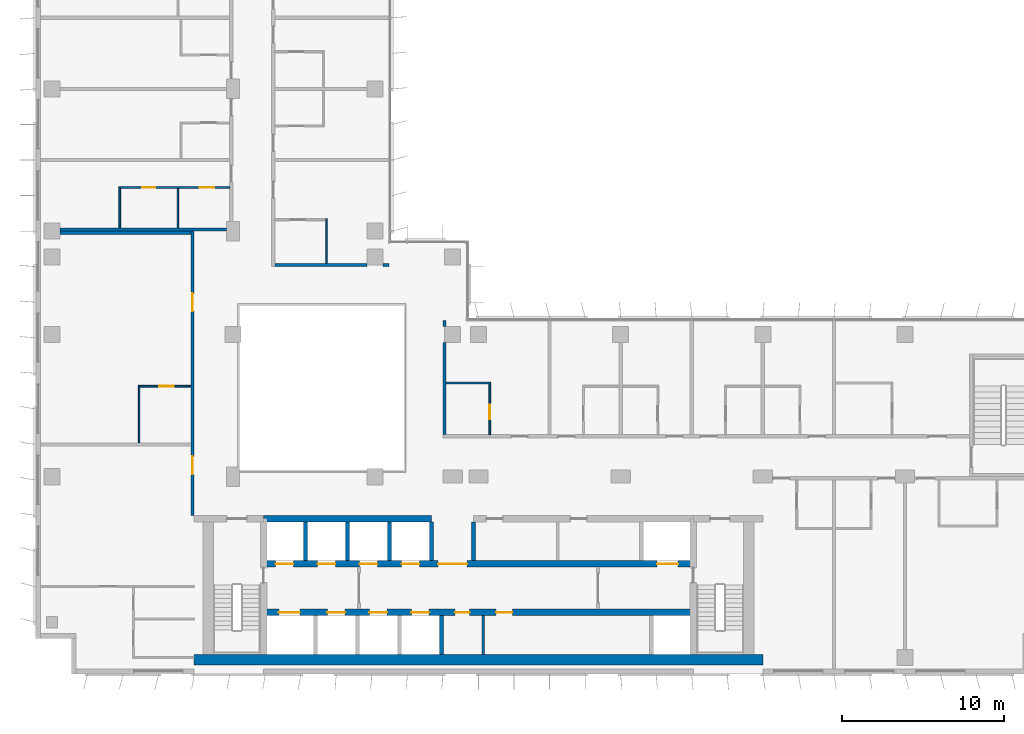
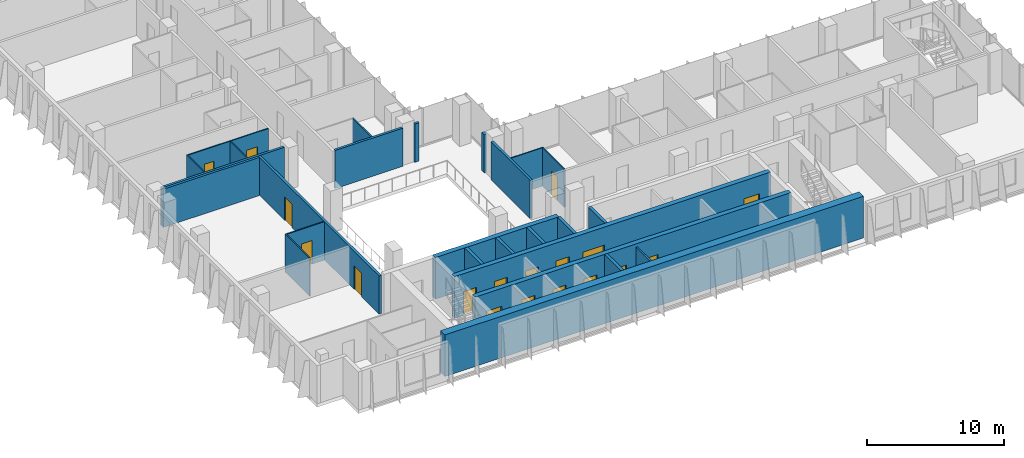
# One storey, part 13 of 21: 26 walls, 18 doors, 18 openings.
"""IFC4 building model written with IfcOpenShell, lengths in metres."""

from ifc_helpers import new_model, si_unit, direction, frame, frame_2d, origin, place, context, subcontext, project, spatial, rectangle, extrude, material, layer, layer_set, type_object, element, fill, save


model = new_model("IFC4")

# Units and contexts
model_context = context("Model", 3, precision=1e-05, world=origin(), true_north=direction((0.0, 1.0)))
body_context = subcontext(model_context, "Body", "Model", "MODEL_VIEW")
ifc_project = project(units=[si_unit("LENGTHUNIT", "METRE"), si_unit("AREAUNIT", "SQUARE_METRE"), si_unit("VOLUMEUNIT", "CUBIC_METRE"), si_unit("PLANEANGLEUNIT", "RADIAN"), si_unit("MASSUNIT", "GRAM", prefix="KILO")], contexts=[model_context])

# Site, building, storey
site_placement = place(None, origin())
site = spatial("IfcSite", under=ifc_project, at=site_placement, CompositionType="ELEMENT")
building_placement = place(site_placement, origin())
building = spatial("IfcBuilding", under=site, at=building_placement, Name="Kemantara Hotel Tower", CompositionType="ELEMENT")
storey_placement = place(building_placement, frame((0.0, 0.0, 156.800048828125)))
storey = spatial("IfcBuildingStorey", under=building, at=storey_placement, Name="L38", CompositionType="ELEMENT", Elevation=156.800048828125)

# Walls
ifc_material_1 = material(Name="Concrete fc 60 MPa", Category="concrete")
ifc_layer_1 = layer(ifc_material_1, 0.25)
ifc_layer_set_1 = layer_set([ifc_layer_1], Name="Concrete fc 60 MPa")
wall_type_1 = type_object("IfcWallType", Name="CORE WALL 250 FC60", PredefinedType="SHEAR", material=ifc_layer_set_1)
wall_1_placement = place(storey_placement, frame((25.10009765625, 1.199951171875, 0.0), z_axis=(0.0, 0.0, 1.0), x_axis=(0.0, 1.0, 0.0)))
element("IfcWall", 1, at=wall_1_placement, inside=storey, type_object=wall_type_1, Name="CORE WALL CW-DS25.1", PredefinedType="SHEAR", context=body_context, shape_type="SweptSolid", body=[
    extrude(rectangle(XDim=2.400146484375, YDim=0.25, at=frame_2d((1.2001953125, 0.0))), origin(), (0.0, 0.0, 1.0), 3.699951171875),
])
for number, where, z_axis, x_axis, name in (
    (2, (16.699951171875, 7.0, 0.0), (0.0, 0.0, 1.0), (0.0, 1.0, 0.0), "CORE WALL CW-DN16.7"),
    (3, (19.300048828125, 7.0, 0.0), (0.0, 0.0, 1.0), (0.0, 1.0, 0.0), "CORE WALL CW-DN19.3"),
    (4, (21.89990234375, 7.0, 0.0), (0.0, 0.0, 1.0), (0.0, 1.0, 0.0), "CORE WALL CW-DN21.9"),
    (5, (24.5, 7.0, 0.0), (0.0, 0.0, 1.0), (0.0, 1.0, 0.0), "CORE WALL CW-DN24.5"),
    (6, (27.10009765625, 7.0, 0.0), (0.0, 0.0, 1.0), (0.0, 1.0, 0.0), "CORE WALL CW-DN27.1"),
):
    element("IfcWall", number, at=place(storey_placement, frame(where, z_axis=z_axis, x_axis=x_axis)), inside=storey, type_object=wall_type_1, Name=name, PredefinedType="SHEAR", context=body_context, shape_type="SweptSolid", body=[
        extrude(rectangle(XDim=2.39990234375, YDim=0.25, at=frame_2d((1.199951171875, 0.0))), origin(), (0.0, 0.0, 1.0), 3.699951171875),
    ])
ifc_layer_2 = layer(ifc_material_1, 0.39990234375)
ifc_layer_set_2 = layer_set([ifc_layer_2], Name="Concrete fc 60 MPa")
wall_type_2 = type_object("IfcWallType", Name="CORE WALL 400 FC60", PredefinedType="SHEAR", material=ifc_layer_set_2)
wall_2_placement = place(storey_placement, frame((14.10009765625, 9.60009765625, 0.0), z_axis=(0.0, 0.0, 1.0), x_axis=(1.0, 0.0, 0.0)))
element("IfcWall", 7, at=wall_2_placement, inside=storey, type_object=wall_type_2, Name="CORE WALL CW-NN1", PredefinedType="SHEAR", context=body_context, shape_type="SweptSolid", body=[
    extrude(rectangle(XDim=10.39990234375, YDim=0.39990234375, at=frame_2d((5.199951171875, 0.0))), origin(), (0.0, 0.0, 1.0), 3.699951171875),
])

# Wall, openings, doors
wall_3_placement = place(storey_placement, frame((14.10009765625, 3.800048828125, 0.0), z_axis=(0.0, 0.0, 1.0), x_axis=(1.0, 0.0, 0.0)))
wall_3 = element("IfcWall", 8, at=wall_3_placement, inside=storey, type_object=wall_type_2, Name="CORE WALL CW-L1", PredefinedType="SHEAR", context=body_context, shape_type="SweptSolid", body=[
    extrude(rectangle(XDim=26.599853515625, YDim=0.39990234375, at=frame_2d((13.2998046875, 0.0))), origin(), (0.0, 0.0, 1.0), 3.699951171875),
])
opening_1_placement = place(wall_3_placement, frame((0.949951171875, 0.0, 0.0)))
opening_1 = element("IfcOpeningElement", 9, at=opening_1_placement, cuts=wall_3, Name="Opening C25-LD-FF1", PredefinedType="OPENING", context=body_context, shape_type="SweptSolid", body=[
    extrude(rectangle(XDim=1.300048828125, YDim=2.10009765625, at=frame_2d((0.64990234375, 1.050048828125))), frame((0.0, 0.2099609375, 0.0), z_axis=(0.0, -1.0, 0.0), x_axis=(1.0, 0.0, 0.0)), (0.0, 0.0, 1.0), 0.419921875),
])
opening_2_placement = place(wall_3_placement, frame((3.949951171875, 0.0, 0.0)))
opening_2 = element("IfcOpeningElement", 10, at=opening_2_placement, cuts=wall_3, Name="Opening C25-LD-SV1", PredefinedType="OPENING", context=body_context, shape_type="SweptSolid", body=[
    extrude(rectangle(XDim=1.10009765625, YDim=2.10009765625, at=frame_2d((0.550048828125, 1.050048828125))), frame((0.0, 0.2099609375, 0.0), z_axis=(0.0, -1.0, 0.0), x_axis=(1.0, 0.0, 0.0)), (0.0, 0.0, 1.0), 0.419921875),
])
opening_3_placement = place(wall_3_placement, frame((6.550048828125, 0.0, 0.0)))
opening_3 = element("IfcOpeningElement", 11, at=opening_3_placement, cuts=wall_3, Name="Opening C25-LD-SV2", PredefinedType="OPENING", context=body_context, shape_type="SweptSolid", body=[
    extrude(rectangle(XDim=1.10009765625, YDim=2.10009765625, at=frame_2d((0.550048828125, 1.050048828125))), frame((0.0, 0.2099609375, 0.0), z_axis=(0.0, -1.0, 0.0), x_axis=(1.0, 0.0, 0.0)), (0.0, 0.0, 1.0), 0.419921875),
])
opening_4_placement = place(wall_3_placement, frame((9.14990234375, 0.0, 0.0)))
opening_4 = element("IfcOpeningElement", 12, at=opening_4_placement, cuts=wall_3, Name="Opening C25-LD-SV3", PredefinedType="OPENING", context=body_context, shape_type="SweptSolid", body=[
    extrude(rectangle(XDim=1.10009765625, YDim=2.10009765625, at=frame_2d((0.550048828125, 1.050048828125))), frame((0.0, 0.2099609375, 0.0), z_axis=(0.0, -1.0, 0.0), x_axis=(1.0, 0.0, 0.0)), (0.0, 0.0, 1.0), 0.419921875),
])
opening_5_placement = place(wall_3_placement, frame((11.85009765625, 0.0, 0.0)))
opening_5 = element("IfcOpeningElement", 13, at=opening_5_placement, cuts=wall_3, Name="Opening C25-R-SM1", PredefinedType="OPENING", context=body_context, shape_type="SweptSolid", body=[
    extrude(rectangle(XDim=0.89990234375, YDim=2.10009765625, at=frame_2d((0.449951171875, 1.050048828125))), frame((0.0, 0.2099609375, 0.0), z_axis=(0.0, -1.0, 0.0), x_axis=(1.0, 0.0, 0.0)), (0.0, 0.0, 1.0), 0.419921875),
])
opening_6_placement = place(wall_3_placement, frame((14.39990234375, 0.0, 0.0)))
opening_6 = element("IfcOpeningElement", 14, at=opening_6_placement, cuts=wall_3, Name="Opening C25-R-SM2", PredefinedType="OPENING", context=body_context, shape_type="SweptSolid", body=[
    extrude(rectangle(XDim=1.0, YDim=2.10009765625, at=frame_2d((0.5, 1.050048828125))), frame((0.0, 0.2099609375, 0.0), z_axis=(0.0, -1.0, 0.0), x_axis=(1.0, 0.0, 0.0)), (0.0, 0.0, 1.0), 0.419921875),
])
ifc_material_2 = material(Name="Steel fire door", Category="steel")
door_type_1 = type_object("IfcDoorType", Name="Fire door FD30S 1000 x 2100", OperationType="NOTDEFINED", PredefinedType="DOOR", material=ifc_material_2)
door_1_placement = place(opening_6_placement, frame((1.0, 0.0, 0.0), z_axis=(0.0, 0.0, 1.0), x_axis=(-1.0, 0.0, 0.0)))
door_1 = element("IfcDoor", 15, at=door_1_placement, inside=storey, type_object=door_type_1, Name="Guest Pantry door", OperationType="SINGLE_SWING_LEFT", OverallHeight=2.10009765625, OverallWidth=1.0, PredefinedType="DOOR", context=body_context, shape_type="SweptSolid", body=[
    extrude(rectangle(XDim=1.0, YDim=2.10009765625, at=frame_2d((0.5, 1.050048828125))), frame((0.0, 0.02490234375, 0.0), z_axis=(0.0, -1.0, 0.0), x_axis=(1.0, 0.0, 0.0)), (0.0, 0.0, 1.0), 0.050048828125),
])
fill(opening_6, door_1)
door_type_2 = type_object("IfcDoorType", Name="Fire door FD60 900 x 2100", OperationType="NOTDEFINED", PredefinedType="DOOR", material=ifc_material_2)
door_2_placement = place(opening_5_placement, frame((0.89990234375, 0.0, 0.0), z_axis=(0.0, 0.0, 1.0), x_axis=(-1.0, 0.0, 0.0)))
door_2 = element("IfcDoor", 16, at=door_2_placement, inside=storey, type_object=door_type_2, Name="Electrical Riser Room door", OperationType="SINGLE_SWING_RIGHT", OverallHeight=2.10009765625, OverallWidth=0.89990234375, PredefinedType="DOOR", context=body_context, shape_type="SweptSolid", body=[
    extrude(rectangle(XDim=0.89990234375, YDim=2.10009765625, at=frame_2d((0.449951171875, 1.050048828125))), frame((0.0, 0.02490234375, 0.0), z_axis=(0.0, -1.0, 0.0), x_axis=(1.0, 0.0, 0.0)), (0.0, 0.0, 1.0), 0.050048828125),
])
fill(opening_5, door_2)
ifc_material_3 = material(Name="Stainless steel lift door", Category="steel")
door_type_3 = type_object("IfcDoorType", Name="Lift landing door 1100 x 2100 FD60", OperationType="DOUBLE_DOOR_SLIDING", PredefinedType="DOOR", material=ifc_material_3)
door_3_placement = place(opening_2_placement, origin())
door_3 = element("IfcDoor", 17, at=door_3_placement, inside=storey, type_object=door_type_3, Name="Lift SV1 landing door", OperationType="DOUBLE_DOOR_SLIDING", OverallHeight=2.10009765625, OverallWidth=1.10009765625, PredefinedType="DOOR", context=body_context, shape_type="SweptSolid", body=[
    extrude(rectangle(XDim=1.10009765625, YDim=2.10009765625, at=frame_2d((0.550048828125, 1.050048828125))), frame((0.0, 0.02490234375, 0.0), z_axis=(0.0, -1.0, 0.0), x_axis=(1.0, 0.0, 0.0)), (0.0, 0.0, 1.0), 0.050048828125),
])
fill(opening_2, door_3)
door_4_placement = place(opening_3_placement, origin())
door_4 = element("IfcDoor", 18, at=door_4_placement, inside=storey, type_object=door_type_3, Name="Lift SV2 landing door", OperationType="DOUBLE_DOOR_SLIDING", OverallHeight=2.10009765625, OverallWidth=1.10009765625, PredefinedType="DOOR", context=body_context, shape_type="SweptSolid", body=[
    extrude(rectangle(XDim=1.10009765625, YDim=2.10009765625, at=frame_2d((0.550048828125, 1.050048828125))), frame((0.0, 0.02490234375, 0.0), z_axis=(0.0, -1.0, 0.0), x_axis=(1.0, 0.0, 0.0)), (0.0, 0.0, 1.0), 0.050048828125),
])
fill(opening_3, door_4)
door_5_placement = place(opening_4_placement, origin())
door_5 = element("IfcDoor", 19, at=door_5_placement, inside=storey, type_object=door_type_3, Name="Lift SV3 landing door", OperationType="DOUBLE_DOOR_SLIDING", OverallHeight=2.10009765625, OverallWidth=1.10009765625, PredefinedType="DOOR", context=body_context, shape_type="SweptSolid", body=[
    extrude(rectangle(XDim=1.10009765625, YDim=2.10009765625, at=frame_2d((0.550048828125, 1.050048828125))), frame((0.0, 0.02490234375, 0.0), z_axis=(0.0, -1.0, 0.0), x_axis=(1.0, 0.0, 0.0)), (0.0, 0.0, 1.0), 0.050048828125),
])
fill(opening_4, door_5)
door_type_4 = type_object("IfcDoorType", Name="Lift landing door 1300 x 2100 FD90", OperationType="DOUBLE_DOOR_SLIDING", PredefinedType="DOOR", material=ifc_material_3)
door_6_placement = place(opening_1_placement, origin())
door_6 = element("IfcDoor", 20, at=door_6_placement, inside=storey, type_object=door_type_4, Name="Lift FF1 landing door", OperationType="DOUBLE_DOOR_SLIDING", OverallHeight=2.10009765625, OverallWidth=1.300048828125, PredefinedType="DOOR", context=body_context, shape_type="SweptSolid", body=[
    extrude(rectangle(XDim=1.300048828125, YDim=2.10009765625, at=frame_2d((0.64990234375, 1.050048828125))), frame((0.0, 0.02490234375, 0.0), z_axis=(0.0, -1.0, 0.0), x_axis=(1.0, 0.0, 0.0)), (0.0, 0.0, 1.0), 0.050048828125),
])
fill(opening_1, door_6)

wall_4_placement = place(storey_placement, frame((14.10009765625, 6.800048828125, 0.0), z_axis=(0.0, 0.0, 1.0), x_axis=(1.0, 0.0, 0.0)))
wall_4 = element("IfcWall", 21, at=wall_4_placement, inside=storey, type_object=wall_type_2, Name="CORE WALL CW-L2", PredefinedType="SHEAR", context=body_context, shape_type="SweptSolid", body=[
    extrude(rectangle(XDim=26.599853515625, YDim=0.39990234375, at=frame_2d((13.2998046875, 0.0))), origin(), (0.0, 0.0, 1.0), 3.699951171875),
])
opening_7_placement = place(wall_4_placement, frame((10.800048828125, 0.0, 0.0)))
opening_7 = element("IfcOpeningElement", 22, at=opening_7_placement, cuts=wall_4, Name="Opening C25-VL", PredefinedType="OPENING", context=body_context, shape_type="SweptSolid", body=[
    extrude(rectangle(XDim=1.800048828125, YDim=2.10009765625, at=frame_2d((0.89990234375, 1.050048828125))), frame((0.0, 0.2099609375, 0.0), z_axis=(0.0, -1.0, 0.0), x_axis=(1.0, 0.0, 0.0)), (0.0, 0.0, 1.0), 0.419921875),
])
opening_8_placement = place(wall_4_placement, frame((0.75, 0.0, 0.0)))
opening_8 = element("IfcOpeningElement", 23, at=opening_8_placement, cuts=wall_4, Name="Opening C25-LD-MR1", PredefinedType="OPENING", context=body_context, shape_type="SweptSolid", body=[
    extrude(rectangle(XDim=1.10009765625, YDim=2.10009765625, at=frame_2d((0.550048828125, 1.050048828125))), frame((0.0, 0.2099609375, 0.0), z_axis=(0.0, -1.0, 0.0), x_axis=(1.0, 0.0, 0.0)), (0.0, 0.0, 1.0), 0.419921875),
])
opening_9_placement = place(wall_4_placement, frame((3.35009765625, 0.0, 0.0)))
opening_9 = element("IfcOpeningElement", 24, at=opening_9_placement, cuts=wall_4, Name="Opening C25-LD-MR2", PredefinedType="OPENING", context=body_context, shape_type="SweptSolid", body=[
    extrude(rectangle(XDim=1.10009765625, YDim=2.10009765625, at=frame_2d((0.550048828125, 1.050048828125))), frame((0.0, 0.2099609375, 0.0), z_axis=(0.0, -1.0, 0.0), x_axis=(1.0, 0.0, 0.0)), (0.0, 0.0, 1.0), 0.419921875),
])
opening_10_placement = place(wall_4_placement, frame((5.949951171875, 0.0, 0.0)))
opening_10 = element("IfcOpeningElement", 25, at=opening_10_placement, cuts=wall_4, Name="Opening C25-LD-MR3", PredefinedType="OPENING", context=body_context, shape_type="SweptSolid", body=[
    extrude(rectangle(XDim=1.10009765625, YDim=2.10009765625, at=frame_2d((0.550048828125, 1.050048828125))), frame((0.0, 0.2099609375, 0.0), z_axis=(0.0, -1.0, 0.0), x_axis=(1.0, 0.0, 0.0)), (0.0, 0.0, 1.0), 0.419921875),
])
opening_11_placement = place(wall_4_placement, frame((8.550048828125, 0.0, 0.0)))
opening_11 = element("IfcOpeningElement", 26, at=opening_11_placement, cuts=wall_4, Name="Opening C25-LD-MR4", PredefinedType="OPENING", context=body_context, shape_type="SweptSolid", body=[
    extrude(rectangle(XDim=1.10009765625, YDim=2.10009765625, at=frame_2d((0.550048828125, 1.050048828125))), frame((0.0, 0.2099609375, 0.0), z_axis=(0.0, -1.0, 0.0), x_axis=(1.0, 0.0, 0.0)), (0.0, 0.0, 1.0), 0.419921875),
])
opening_12_placement = place(wall_4_placement, frame((24.35009765625, 0.0, 0.0)))
opening_12 = element("IfcOpeningElement", 27, at=opening_12_placement, cuts=wall_4, Name="Opening C25-LD-FF2", PredefinedType="OPENING", context=body_context, shape_type="SweptSolid", body=[
    extrude(rectangle(XDim=1.300048828125, YDim=2.10009765625, at=frame_2d((0.64990234375, 1.050048828125))), frame((0.0, 0.2099609375, 0.0), z_axis=(0.0, -1.0, 0.0), x_axis=(1.0, 0.0, 0.0)), (0.0, 0.0, 1.0), 0.419921875),
])
door_type_5 = type_object("IfcDoorType", Name="Fire door pair FD60 1800 x 2100", OperationType="DOUBLE_DOOR_SINGLE_SWING", PredefinedType="DOOR", material=ifc_material_2)
door_7_placement = place(opening_7_placement, frame((1.800048828125, 0.0, 0.0), z_axis=(0.0, 0.0, 1.0), x_axis=(-1.0, 0.0, 0.0)))
door_7 = element("IfcDoor", 28, at=door_7_placement, inside=storey, type_object=door_type_5, Name="Lift lobby entry door", OperationType="DOUBLE_DOOR_SINGLE_SWING", OverallHeight=2.10009765625, OverallWidth=1.800048828125, PredefinedType="DOOR", context=body_context, shape_type="SweptSolid", body=[
    extrude(rectangle(XDim=1.800048828125, YDim=2.10009765625, at=frame_2d((0.89990234375, 1.050048828125))), frame((0.0, 0.02490234375, 0.0), z_axis=(0.0, -1.0, 0.0), x_axis=(1.0, 0.0, 0.0)), (0.0, 0.0, 1.0), 0.050048828125),
])
fill(opening_7, door_7)
door_8_placement = place(opening_8_placement, origin())
door_8 = element("IfcDoor", 29, at=door_8_placement, inside=storey, type_object=door_type_3, Name="Lift MR1 landing door", OperationType="DOUBLE_DOOR_SLIDING", OverallHeight=2.10009765625, OverallWidth=1.10009765625, PredefinedType="DOOR", context=body_context, shape_type="SweptSolid", body=[
    extrude(rectangle(XDim=1.10009765625, YDim=2.10009765625, at=frame_2d((0.550048828125, 1.050048828125))), frame((0.0, 0.02490234375, 0.0), z_axis=(0.0, -1.0, 0.0), x_axis=(1.0, 0.0, 0.0)), (0.0, 0.0, 1.0), 0.050048828125),
])
fill(opening_8, door_8)
door_9_placement = place(opening_9_placement, origin())
door_9 = element("IfcDoor", 30, at=door_9_placement, inside=storey, type_object=door_type_3, Name="Lift MR2 landing door", OperationType="DOUBLE_DOOR_SLIDING", OverallHeight=2.10009765625, OverallWidth=1.10009765625, PredefinedType="DOOR", context=body_context, shape_type="SweptSolid", body=[
    extrude(rectangle(XDim=1.10009765625, YDim=2.10009765625, at=frame_2d((0.550048828125, 1.050048828125))), frame((0.0, 0.02490234375, 0.0), z_axis=(0.0, -1.0, 0.0), x_axis=(1.0, 0.0, 0.0)), (0.0, 0.0, 1.0), 0.050048828125),
])
fill(opening_9, door_9)
door_10_placement = place(opening_10_placement, origin())
door_10 = element("IfcDoor", 31, at=door_10_placement, inside=storey, type_object=door_type_3, Name="Lift MR3 landing door", OperationType="DOUBLE_DOOR_SLIDING", OverallHeight=2.10009765625, OverallWidth=1.10009765625, PredefinedType="DOOR", context=body_context, shape_type="SweptSolid", body=[
    extrude(rectangle(XDim=1.10009765625, YDim=2.10009765625, at=frame_2d((0.550048828125, 1.050048828125))), frame((0.0, 0.02490234375, 0.0), z_axis=(0.0, -1.0, 0.0), x_axis=(1.0, 0.0, 0.0)), (0.0, 0.0, 1.0), 0.050048828125),
])
fill(opening_10, door_10)
door_11_placement = place(opening_11_placement, origin())
door_11 = element("IfcDoor", 32, at=door_11_placement, inside=storey, type_object=door_type_3, Name="Lift MR4 landing door", OperationType="DOUBLE_DOOR_SLIDING", OverallHeight=2.10009765625, OverallWidth=1.10009765625, PredefinedType="DOOR", context=body_context, shape_type="SweptSolid", body=[
    extrude(rectangle(XDim=1.10009765625, YDim=2.10009765625, at=frame_2d((0.550048828125, 1.050048828125))), frame((0.0, 0.02490234375, 0.0), z_axis=(0.0, -1.0, 0.0), x_axis=(1.0, 0.0, 0.0)), (0.0, 0.0, 1.0), 0.050048828125),
])
fill(opening_11, door_11)
door_12_placement = place(opening_12_placement, origin())
door_12 = element("IfcDoor", 33, at=door_12_placement, inside=storey, type_object=door_type_4, Name="Lift FF2 landing door", OperationType="DOUBLE_DOOR_SLIDING", OverallHeight=2.10009765625, OverallWidth=1.300048828125, PredefinedType="DOOR", context=body_context, shape_type="SweptSolid", body=[
    extrude(rectangle(XDim=1.300048828125, YDim=2.10009765625, at=frame_2d((0.64990234375, 1.050048828125))), frame((0.0, 0.02490234375, 0.0), z_axis=(0.0, -1.0, 0.0), x_axis=(1.0, 0.0, 0.0)), (0.0, 0.0, 1.0), 0.050048828125),
])
fill(opening_12, door_12)

# Wall
ifc_layer_3 = layer(ifc_material_1, 0.64990234375)
ifc_layer_set_3 = layer_set([ifc_layer_3], Name="Concrete fc 60 MPa")
wall_type_3 = type_object("IfcWallType", Name="CORE WALL 650 FC60", PredefinedType="SHEAR", material=ifc_layer_set_3)
wall_5_placement = place(storey_placement, frame((9.800048828125, 0.875, 0.0), z_axis=(0.0, 0.0, 1.0), x_axis=(1.0, 0.0, 0.0)))
element("IfcWall", 34, at=wall_5_placement, inside=storey, type_object=wall_type_3, Name="CORE WALL CW-S", PredefinedType="SHEAR", context=body_context, shape_type="SweptSolid", body=[
    extrude(rectangle(XDim=35.199951171875, YDim=0.64990234375, at=frame_2d((17.60009765625, 0.0))), origin(), (0.0, 0.0, 1.0), 3.699951171875),
])

# Wall, openings, doors
ifc_material_4 = material(Name="Gypsum board partition, steel studs and mineral wool, 200 mm", Category="steel")
ifc_layer_4 = layer(ifc_material_4, 0.199951171875)
ifc_layer_set_4 = layer_set([ifc_layer_4], Name="Gypsum board partition, steel studs and mineral wool, 200 mm")
wall_type_4 = type_object("IfcWallType", Name="CORRIDOR WALL 200", PredefinedType="PARTITIONING", material=ifc_layer_set_4)
wall_6_placement = place(storey_placement, frame((9.699951171875, 9.800048828125, 0.0), z_axis=(0.0, 0.0, 1.0), x_axis=(0.0, 1.0, 0.0)))
wall_6 = element("IfcWall", 35, at=wall_6_placement, inside=storey, type_object=wall_type_4, Name="CORRIDOR WALL 200 014", PredefinedType="PARTITIONING", context=body_context, shape_type="SweptSolid", body=[
    extrude(rectangle(XDim=17.599853515625, YDim=0.199951171875, at=frame_2d((8.7998046875, 0.0))), origin(), (0.0, 0.0, 1.0), 3.39990234375),
])
opening_13_placement = place(wall_6_placement, frame((2.550048828125, 0.0, 0.0)))
opening_13 = element("IfcOpeningElement", 36, at=opening_13_placement, cuts=wall_6, Name="Opening F17-019", PredefinedType="OPENING", context=body_context, shape_type="SweptSolid", body=[
    extrude(rectangle(XDim=1.10009765625, YDim=2.10009765625, at=frame_2d((0.550048828125, 1.050048828125))), frame((0.0, 0.10986328125, 0.0), z_axis=(0.0, -1.0, 0.0), x_axis=(1.0, 0.0, 0.0)), (0.0, 0.0, 1.0), 0.219970703125),
])
opening_14_placement = place(wall_6_placement, frame((12.64990234375, 0.0, 0.0)))
opening_14 = element("IfcOpeningElement", 37, at=opening_14_placement, cuts=wall_6, Name="Opening F17-023", PredefinedType="OPENING", context=body_context, shape_type="SweptSolid", body=[
    extrude(rectangle(XDim=1.10009765625, YDim=2.10009765625, at=frame_2d((0.550048828125, 1.050048828125))), frame((0.0, 0.10986328125, 0.0), z_axis=(0.0, -1.0, 0.0), x_axis=(1.0, 0.0, 0.0)), (0.0, 0.0, 1.0), 0.219970703125),
])
ifc_material_5 = material(Name="Hardwood veneer door leaf with steel frame", Category="steel")
door_type_6 = type_object("IfcDoorType", Name="SUITE ENTRANCE DOOR 1100 X 2100 FD30S", OperationType="NOTDEFINED", PredefinedType="DOOR", material=ifc_material_5)
door_13_placement = place(opening_13_placement, origin())
door_13 = element("IfcDoor", 38, at=door_13_placement, inside=storey, type_object=door_type_6, Name="SUITE ENTRANCE DOOR F17-019", OperationType="SINGLE_SWING_RIGHT", OverallHeight=2.10009765625, OverallWidth=1.10009765625, PredefinedType="DOOR", context=body_context, shape_type="SweptSolid", body=[
    extrude(rectangle(XDim=1.10009765625, YDim=2.10009765625, at=frame_2d((0.550048828125, 1.050048828125))), frame((0.0, 0.02490234375, 0.0), z_axis=(0.0, -1.0, 0.0), x_axis=(1.0, 0.0, 0.0)), (0.0, 0.0, 1.0), 0.050048828125),
])
fill(opening_13, door_13)
door_14_placement = place(opening_14_placement, origin())
door_14 = element("IfcDoor", 39, at=door_14_placement, inside=storey, type_object=door_type_6, Name="SUITE ENTRANCE DOOR F17-023", OperationType="SINGLE_SWING_RIGHT", OverallHeight=2.10009765625, OverallWidth=1.10009765625, PredefinedType="DOOR", context=body_context, shape_type="SweptSolid", body=[
    extrude(rectangle(XDim=1.10009765625, YDim=2.10009765625, at=frame_2d((0.550048828125, 1.050048828125))), frame((0.0, 0.02490234375, 0.0), z_axis=(0.0, -1.0, 0.0), x_axis=(1.0, 0.0, 0.0)), (0.0, 0.0, 1.0), 0.050048828125),
])
fill(opening_14, door_14)

# Walls
ifc_layer_5 = layer(ifc_material_4, 0.199951171875)
ifc_layer_set_5 = layer_set([ifc_layer_5], Name="Gypsum board partition, steel studs and mineral wool, 200 mm")
wall_type_5 = type_object("IfcWallType", Name="GUEST ROOM PARTY WALL 200", PredefinedType="PARTITIONING", material=ifc_layer_set_5)
wall_7_placement = place(storey_placement, frame((25.300048828125, 14.800048828125, 0.0), z_axis=(0.0, 0.0, 1.0), x_axis=(0.0, 1.0, 0.0)))
element("IfcWall", 40, at=wall_7_placement, inside=storey, type_object=wall_type_5, Name="GUEST ROOM PARTY WALL 200 008", PredefinedType="PARTITIONING", context=body_context, shape_type="SweptSolid", body=[
    extrude(rectangle(XDim=5.699951171875, YDim=0.199951171875, at=frame_2d((2.85009765625, 0.0))), origin(), (0.0, 0.0, 1.0), 3.39990234375),
])
wall_8_placement = place(storey_placement, frame((25.300048828125, 21.5, 0.0), z_axis=(0.0, 0.0, 1.0), x_axis=(0.0, 1.0, 0.0)))
element("IfcWall", 41, at=wall_8_placement, inside=storey, type_object=wall_type_5, Name="GUEST ROOM PARTY WALL 200 009", PredefinedType="PARTITIONING", context=body_context, shape_type="SweptSolid", body=[
    extrude(rectangle(XDim=0.3701171875, YDim=0.199951171875, at=frame_2d((0.18505859375, 0.0))), origin(), (0.0, 0.0, 1.0), 3.39990234375),
])
wall_9_placement = place(storey_placement, frame((1.5, 27.300048828125, 0.0), z_axis=(0.0, 0.0, 1.0), x_axis=(1.0, 0.0, 0.0)))
element("IfcWall", 42, at=wall_9_placement, inside=storey, type_object=wall_type_5, Name="GUEST ROOM PARTY WALL 200 016", PredefinedType="PARTITIONING", context=body_context, shape_type="SweptSolid", body=[
    extrude(rectangle(XDim=8.10009765625, YDim=0.199951171875, at=frame_2d((4.050048828125, 0.0))), origin(), (0.0, 0.0, 1.0), 3.39990234375),
])
wall_10_placement = place(storey_placement, frame((1.5, 27.5, 0.0), z_axis=(0.0, 0.0, 1.0), x_axis=(1.0, 0.0, 0.0)))
element("IfcWall", 43, at=wall_10_placement, inside=storey, type_object=wall_type_5, Name="GUEST ROOM PARTY WALL 200 021", PredefinedType="PARTITIONING", context=body_context, shape_type="SweptSolid", body=[
    extrude(rectangle(XDim=10.2998046875, YDim=0.199951171875, at=frame_2d((5.14990234375, 0.0))), origin(), (0.0, 0.0, 1.0), 3.39990234375),
])
wall_11_placement = place(storey_placement, frame((14.800048828125, 25.300048828125, 0.0), z_axis=(0.0, 0.0, 1.0), x_axis=(1.0, 0.0, 0.0)))
element("IfcWall", 44, at=wall_11_placement, inside=storey, type_object=wall_type_5, Name="GUEST ROOM PARTY WALL 200 033", PredefinedType="PARTITIONING", context=body_context, shape_type="SweptSolid", body=[
    extrude(rectangle(XDim=5.699951171875, YDim=0.199951171875, at=frame_2d((2.85009765625, 0.0))), origin(), (0.0, 0.0, 1.0), 3.39990234375),
])
wall_12_placement = place(storey_placement, frame((21.5, 25.300048828125, 0.0), z_axis=(0.0, 0.0, 1.0), x_axis=(1.0, 0.0, 0.0)))
element("IfcWall", 45, at=wall_12_placement, inside=storey, type_object=wall_type_5, Name="GUEST ROOM PARTY WALL 200 034", PredefinedType="PARTITIONING", context=body_context, shape_type="SweptSolid", body=[
    extrude(rectangle(XDim=0.3701171875, YDim=0.199951171875, at=frame_2d((0.18505859375, 0.0))), origin(), (0.0, 0.0, 1.0), 3.39990234375),
])
ifc_material_6 = material(Name="Gypsum board partition")
ifc_layer_6 = layer(ifc_material_6, 0.14990234375)
ifc_layer_set_6 = layer_set([ifc_layer_6], Name="Gypsum board partition")
wall_type_6 = type_object("IfcWallType", Name="Gypsum board partition 150 mm", PredefinedType="PARTITIONING", material=ifc_layer_set_6)
wall_13_placement = place(storey_placement, frame((27.699951171875, 1.199951171875, 0.0), z_axis=(0.0, 0.0, 1.0), x_axis=(0.0, 1.0, 0.0)))
element("IfcWall", 46, at=wall_13_placement, inside=storey, type_object=wall_type_6, Name="Core room partition", PredefinedType="PARTITIONING", context=body_context, shape_type="SweptSolid", body=[
    extrude(rectangle(XDim=2.400146484375, YDim=0.14990234375, at=frame_2d((1.2001953125, 0.0))), origin(), (0.0, 0.0, 1.0), 3.39990234375),
])
ifc_material_7 = material(Name="Gypsum board partition on steel studs, 100 mm", Category="steel")
ifc_layer_7 = layer(ifc_material_7, 0.10009765625)
ifc_layer_set_7 = layer_set([ifc_layer_7], Name="Gypsum board partition on steel studs, 100 mm")
wall_type_7 = type_object("IfcWallType", Name="ROOM PARTITION 100", PredefinedType="PARTITIONING", material=ifc_layer_set_7)
wall_14_placement = place(storey_placement, frame((25.39990234375, 18.0, 0.0), z_axis=(0.0, 0.0, 1.0), x_axis=(1.0, 0.0, 0.0)))
element("IfcWall", 47, at=wall_14_placement, inside=storey, type_object=wall_type_7, Name="ROOM PARTITION 100 043", PredefinedType="PARTITIONING", context=body_context, shape_type="SweptSolid", body=[
    extrude(rectangle(XDim=2.75, YDim=0.10009765625, at=frame_2d((1.375, 0.0))), origin(), (0.0, 0.0, 1.0), 3.39990234375),
])

# Wall, opening, door
wall_15_placement = place(storey_placement, frame((28.10009765625, 14.800048828125, 0.0), z_axis=(0.0, 0.0, 1.0), x_axis=(0.0, 1.0, 0.0)))
wall_15 = element("IfcWall", 48, at=wall_15_placement, inside=storey, type_object=wall_type_7, Name="ROOM PARTITION 100 045", PredefinedType="PARTITIONING", context=body_context, shape_type="SweptSolid", body=[
    extrude(rectangle(XDim=3.14990234375, YDim=0.10009765625, at=frame_2d((1.574951171875, 0.0))), origin(), (0.0, 0.0, 1.0), 3.39990234375),
])
opening_15_placement = place(wall_15_placement, frame((0.949951171875, 0.0, 0.0)))
opening_15 = element("IfcOpeningElement", 49, at=opening_15_placement, cuts=wall_15, Name="Opening F17-008", PredefinedType="OPENING", context=body_context, shape_type="SweptSolid", body=[
    extrude(rectangle(XDim=0.89990234375, YDim=2.10009765625, at=frame_2d((0.449951171875, 1.050048828125))), frame((0.0, 0.06005859375, 0.0), z_axis=(0.0, -1.0, 0.0), x_axis=(1.0, 0.0, 0.0)), (0.0, 0.0, 1.0), 0.1201171875),
])
door_type_7 = type_object("IfcDoorType", Name="BATHROOM DOOR 900 X 2100", OperationType="NOTDEFINED", PredefinedType="DOOR", material=ifc_material_5)
door_15_placement = place(opening_15_placement, origin())
door_15 = element("IfcDoor", 50, at=door_15_placement, inside=storey, type_object=door_type_7, Name="BATHROOM DOOR F17-008", OperationType="SINGLE_SWING_LEFT", OverallHeight=2.10009765625, OverallWidth=0.89990234375, PredefinedType="DOOR", context=body_context, shape_type="SweptSolid", body=[
    extrude(rectangle(XDim=0.89990234375, YDim=2.10009765625, at=frame_2d((0.449951171875, 1.050048828125))), frame((0.0, 0.02490234375, 0.0), z_axis=(0.0, -1.0, 0.0), x_axis=(1.0, 0.0, 0.0)), (0.0, 0.0, 1.0), 0.050048828125),
])
fill(opening_15, door_15)

wall_16_placement = place(storey_placement, frame((9.60009765625, 17.800048828125, 0.0), z_axis=(0.0, 0.0, 1.0), x_axis=(-1.0, 0.0, 0.0)))
wall_16 = element("IfcWall", 51, at=wall_16_placement, inside=storey, type_object=wall_type_7, Name="ROOM PARTITION 100 046", PredefinedType="PARTITIONING", context=body_context, shape_type="SweptSolid", body=[
    extrude(rectangle(XDim=3.150146484375, YDim=0.10009765625, at=frame_2d((1.5751953125, 0.0))), origin(), (0.0, 0.0, 1.0), 3.39990234375),
])
opening_16_placement = place(wall_16_placement, frame((1.050048828125, 0.0, 0.0)))
opening_16 = element("IfcOpeningElement", 52, at=opening_16_placement, cuts=wall_16, Name="Opening F17-024", PredefinedType="OPENING", context=body_context, shape_type="SweptSolid", body=[
    extrude(rectangle(XDim=0.89990234375, YDim=2.10009765625, at=frame_2d((0.449951171875, 1.050048828125))), frame((0.0, 0.06005859375, 0.0), z_axis=(0.0, -1.0, 0.0), x_axis=(1.0, 0.0, 0.0)), (0.0, 0.0, 1.0), 0.1201171875),
])
door_16_placement = place(opening_16_placement, origin())
door_16 = element("IfcDoor", 53, at=door_16_placement, inside=storey, type_object=door_type_7, Name="BATHROOM DOOR F17-024", OperationType="SINGLE_SWING_LEFT", OverallHeight=2.10009765625, OverallWidth=0.89990234375, PredefinedType="DOOR", context=body_context, shape_type="SweptSolid", body=[
    extrude(rectangle(XDim=0.89990234375, YDim=2.10009765625, at=frame_2d((0.449951171875, 1.050048828125))), frame((0.0, 0.02490234375, 0.0), z_axis=(0.0, -1.0, 0.0), x_axis=(1.0, 0.0, 0.0)), (0.0, 0.0, 1.0), 0.050048828125),
])
fill(opening_16, door_16)

# Walls
wall_17_placement = place(storey_placement, frame((6.39990234375, 14.300048828125, 0.0), z_axis=(0.0, 0.0, 1.0), x_axis=(0.0, 1.0, 0.0)))
element("IfcWall", 54, at=wall_17_placement, inside=storey, type_object=wall_type_7, Name="ROOM PARTITION 100 060", PredefinedType="PARTITIONING", context=body_context, shape_type="SweptSolid", body=[
    extrude(rectangle(XDim=3.550048828125, YDim=0.10009765625, at=frame_2d((1.77490234375, 0.0))), origin(), (0.0, 0.0, 1.0), 3.39990234375),
])
wall_18_placement = place(storey_placement, frame((5.199951171875, 27.60009765625, 0.0), z_axis=(0.0, 0.0, 1.0), x_axis=(0.0, 1.0, 0.0)))
element("IfcWall", 55, at=wall_18_placement, inside=storey, type_object=wall_type_7, Name="ROOM PARTITION 100 061", PredefinedType="PARTITIONING", context=body_context, shape_type="SweptSolid", body=[
    extrude(rectangle(XDim=2.5498046875, YDim=0.10009765625, at=frame_2d((1.27490234375, 0.0))), origin(), (0.0, 0.0, 1.0), 3.39990234375),
])
wall_19_placement = place(storey_placement, frame((8.800048828125, 27.60009765625, 0.0), z_axis=(0.0, 0.0, 1.0), x_axis=(0.0, 1.0, 0.0)))
element("IfcWall", 56, at=wall_19_placement, inside=storey, type_object=wall_type_7, Name="ROOM PARTITION 100 062", PredefinedType="PARTITIONING", context=body_context, shape_type="SweptSolid", body=[
    extrude(rectangle(XDim=2.449951171875, YDim=0.10009765625, at=frame_2d((1.22509765625, 0.0))), origin(), (0.0, 0.0, 1.0), 3.39990234375),
])

# Wall, openings, doors
wall_20_placement = place(storey_placement, frame((12.0, 30.10009765625, 0.0), z_axis=(0.0, 0.0, 1.0), x_axis=(-1.0, 0.0, 0.0)))
wall_20 = element("IfcWall", 57, at=wall_20_placement, inside=storey, type_object=wall_type_7, Name="ROOM PARTITION 100 065", PredefinedType="PARTITIONING", context=body_context, shape_type="SweptSolid", body=[
    extrude(rectangle(XDim=6.75, YDim=0.10009765625, at=frame_2d((3.375, 0.0))), origin(), (0.0, 0.0, 1.0), 3.39990234375),
])
opening_17_placement = place(wall_20_placement, frame((0.949951171875, 0.0, 0.0)))
opening_17 = element("IfcOpeningElement", 58, at=opening_17_placement, cuts=wall_20, Name="Opening F17-026", PredefinedType="OPENING", context=body_context, shape_type="SweptSolid", body=[
    extrude(rectangle(XDim=0.89990234375, YDim=2.10009765625, at=frame_2d((0.449951171875, 1.050048828125))), frame((0.0, 0.06005859375, 0.0), z_axis=(0.0, -1.0, 0.0), x_axis=(1.0, 0.0, 0.0)), (0.0, 0.0, 1.0), 0.1201171875),
])
opening_18_placement = place(wall_20_placement, frame((4.60009765625, 0.0, 0.0)))
opening_18 = element("IfcOpeningElement", 59, at=opening_18_placement, cuts=wall_20, Name="Opening F17-027", PredefinedType="OPENING", context=body_context, shape_type="SweptSolid", body=[
    extrude(rectangle(XDim=0.800048828125, YDim=2.10009765625, at=frame_2d((0.39990234375, 1.050048828125))), frame((0.0, 0.06005859375, 0.0), z_axis=(0.0, -1.0, 0.0), x_axis=(1.0, 0.0, 0.0)), (0.0, 0.0, 1.0), 0.1201171875),
])
door_17_placement = place(opening_17_placement, origin())
door_17 = element("IfcDoor", 60, at=door_17_placement, inside=storey, type_object=door_type_7, Name="BATHROOM DOOR F17-026", OperationType="SINGLE_SWING_LEFT", OverallHeight=2.10009765625, OverallWidth=0.89990234375, PredefinedType="DOOR", context=body_context, shape_type="SweptSolid", body=[
    extrude(rectangle(XDim=0.89990234375, YDim=2.10009765625, at=frame_2d((0.449951171875, 1.050048828125))), frame((0.0, 0.02490234375, 0.0), z_axis=(0.0, -1.0, 0.0), x_axis=(1.0, 0.0, 0.0)), (0.0, 0.0, 1.0), 0.050048828125),
])
fill(opening_17, door_17)
door_type_8 = type_object("IfcDoorType", Name="INTERNAL DOOR 800 X 2100", OperationType="NOTDEFINED", PredefinedType="DOOR", material=ifc_material_5)
door_18_placement = place(opening_18_placement, origin())
door_18 = element("IfcDoor", 61, at=door_18_placement, inside=storey, type_object=door_type_8, Name="INTERNAL DOOR F17-027", OperationType="SINGLE_SWING_LEFT", OverallHeight=2.10009765625, OverallWidth=0.800048828125, PredefinedType="DOOR", context=body_context, shape_type="SweptSolid", body=[
    extrude(rectangle(XDim=0.800048828125, YDim=2.10009765625, at=frame_2d((0.39990234375, 1.050048828125))), frame((0.0, 0.02490234375, 0.0), z_axis=(0.0, -1.0, 0.0), x_axis=(1.0, 0.0, 0.0)), (0.0, 0.0, 1.0), 0.050048828125),
])
fill(opening_18, door_18)

# Wall
wall_21_placement = place(storey_placement, frame((18.0, 25.39990234375, 0.0), z_axis=(0.0, 0.0, 1.0), x_axis=(0.0, 1.0, 0.0)))
element("IfcWall", 62, at=wall_21_placement, inside=storey, type_object=wall_type_7, Name="ROOM PARTITION 100 074", PredefinedType="PARTITIONING", context=body_context, shape_type="SweptSolid", body=[
    extrude(rectangle(XDim=2.75, YDim=0.10009765625, at=frame_2d((1.375, 0.0))), origin(), (0.0, 0.0, 1.0), 3.39990234375),
])

save(model, "model.ifc")
